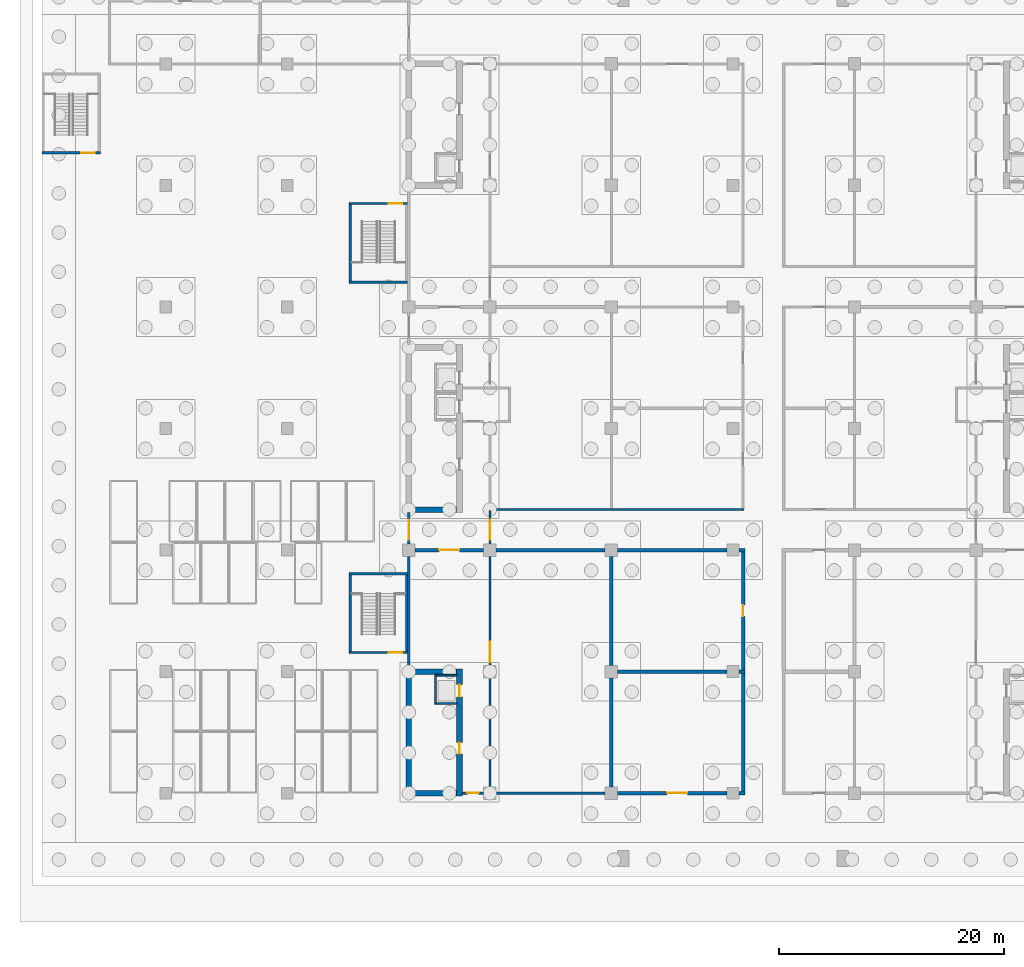
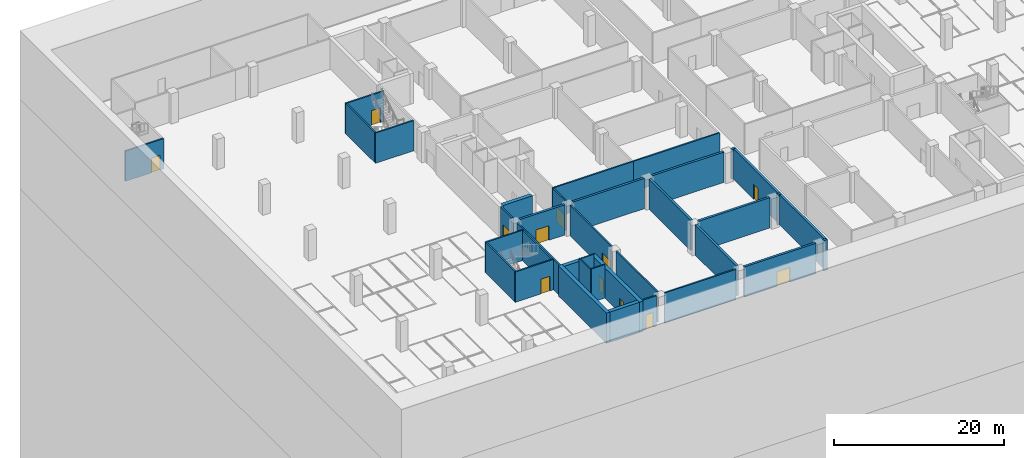
# One storey, part 5 of 18: 37 walls, 12 doors, 12 openings.
"""IFC4 building model written with IfcOpenShell, lengths in metres."""

from ifc_helpers import new_model, si_unit, direction, frame, frame_2d, origin, place, context, subcontext, project, spatial, rectangle, extrude, material, layer, layer_set, type_object, element, fill, save


model = new_model("IFC4")

# Units and contexts
model_context = context("Model", 3, precision=1e-05, world=origin(), true_north=direction((0.0, 1.0)))
body_context = subcontext(model_context, "Body", "Model", "MODEL_VIEW")
ifc_project = project(units=[si_unit("LENGTHUNIT", "METRE"), si_unit("AREAUNIT", "SQUARE_METRE"), si_unit("VOLUMEUNIT", "CUBIC_METRE"), si_unit("PLANEANGLEUNIT", "RADIAN"), si_unit("MASSUNIT", "GRAM", prefix="KILO")], contexts=[model_context])

# Site, building, storey
site_placement = place(None, origin())
site = spatial("IfcSite", under=ifc_project, at=site_placement, CompositionType="ELEMENT")
building_placement = place(site_placement, origin())
building = spatial("IfcBuilding", under=site, at=building_placement, Name="Basin Gate Institute", CompositionType="ELEMENT")
storey_placement = place(building_placement, frame((0.0, 0.0, -9.60009765625)))
storey = spatial("IfcBuildingStorey", under=building, at=storey_placement, Name="B2", CompositionType="ELEMENT", Elevation=-9.60009765625)

# Wall
ifc_material_1 = material(Name="Concrete 50 MPa", Category="concrete")
ifc_layer_1 = layer(ifc_material_1, 0.199951171875)
ifc_layer_set_1 = layer_set([ifc_layer_1], Name="Concrete 50 MPa")
wall_type_1 = type_object("IfcWallType", Name="Basement bearing wall W66 REI 180", PredefinedType="SOLIDWALL", material=ifc_layer_set_1)
wall_1_placement = place(storey_placement, frame((61.199951171875, 46.14990234375, 0.0), z_axis=(0.0, 0.0, 1.0), x_axis=(0.0, 1.0, 0.0)))
element("IfcWall", 1, at=wall_1_placement, inside=storey, type_object=wall_type_1, material=ifc_layer_set_1, Name="Service Corridor B2 West bearing wall", PredefinedType="SOLIDWALL", context=body_context, shape_type="SweptSolid", body=[
    extrude(rectangle(XDim=10.0, YDim=0.199951171875, at=frame_2d((5.0, 0.0))), origin(), (0.0, 0.0, 1.0), 4.35009765625),
])

# Wall, opening, door
wall_2_placement = place(storey_placement, frame((61.199951171875, 57.25, 0.0), z_axis=(0.0, 0.0, 1.0), x_axis=(0.0, 1.0, 0.0)))
wall_2 = element("IfcWall", 2, at=wall_2_placement, inside=storey, type_object=wall_type_1, material=ifc_layer_set_1, Name="Service Corridor B2 West bearing wall", PredefinedType="SOLIDWALL", context=body_context, shape_type="SweptSolid", body=[
    extrude(rectangle(XDim=2.800048828125, YDim=0.199951171875, at=frame_2d((1.39990234375, 0.0))), origin(), (0.0, 0.0, 1.0), 4.35009765625),
])
opening_1_placement = place(wall_2_placement, frame((0.35009765625, 0.0, 0.0)))
opening_1 = element("IfcOpeningElement", 3, at=opening_1_placement, cuts=wall_2, Name="Opening DB227", PredefinedType="OPENING", context=body_context, shape_type="SweptSolid", body=[
    extrude(rectangle(XDim=1.800048828125, YDim=2.10009765625, at=frame_2d((0.89990234375, 1.050048828125))), frame((0.0, 0.10986328125, 0.0), z_axis=(0.0, -1.0, 0.0), x_axis=(1.0, 0.0, 0.0)), (0.0, 0.0, 1.0), 0.219970703125),
])
ifc_material_2 = material(Name="Steel door set", Category="steel")
door_type_1 = type_object("IfcDoorType", Name="Double fire door FD120 1800x2100", OperationType="DOUBLE_DOOR_SINGLE_SWING", PredefinedType="DOOR", material=ifc_material_2)
door_1_placement = place(opening_1_placement, origin())
door_1 = element("IfcDoor", 4, at=door_1_placement, inside=storey, type_object=door_type_1, material=ifc_material_2, Name="Door DB227 Service Corridor B2 West", OperationType="DOUBLE_DOOR_SINGLE_SWING", OverallHeight=2.10009765625, OverallWidth=1.800048828125, PredefinedType="DOOR", context=body_context, shape_type="SweptSolid", body=[
    extrude(rectangle(XDim=1.800048828125, YDim=2.10009765625, at=frame_2d((0.89990234375, 1.050048828125))), frame((0.0, 0.02490234375, 0.0), z_axis=(0.0, -1.0, 0.0), x_axis=(1.0, 0.0, 0.0)), (0.0, 0.0, 1.0), 0.050048828125),
])
fill(opening_1, door_1)

# Wall
ifc_material_3 = material(Name="Blockwork", Category="masonry")
ifc_layer_2 = layer(ifc_material_3, 0.199951171875)
ifc_layer_set_2 = layer_set([ifc_layer_2], Name="Basement fire partition EI 120")
wall_type_2 = type_object("IfcWallType", Name="Basement fire partition EI 120", PredefinedType="PARTITIONING", material=ifc_layer_set_2)
wall_3_placement = place(storey_placement, frame((79.300048828125, 60.300048828125, 0.0), z_axis=(0.0, 0.0, 1.0), x_axis=(1.0, 0.0, 0.0)))
element("IfcWall", 5, at=wall_3_placement, inside=storey, type_object=wall_type_2, material=ifc_layer_set_2, Name="Chiller Plant fire-resisting wall", PredefinedType="PARTITIONING", context=body_context, shape_type="SweptSolid", body=[
    extrude(rectangle(XDim=11.699951171875, YDim=0.199951171875, at=frame_2d((5.85009765625, 0.0))), origin(), (0.0, 0.0, 1.0), 4.35009765625),
])

# Wall, opening, door
ifc_material_4 = material(Name="Blockwork", Category="masonry")
ifc_layer_3 = layer(ifc_material_4, 0.199951171875)
ifc_layer_set_3 = layer_set([ifc_layer_3], Name="Basement fire partition EI 60")
wall_type_3 = type_object("IfcWallType", Name="Basement fire partition EI 60", PredefinedType="PARTITIONING", material=ifc_layer_set_3)
wall_4_placement = place(storey_placement, frame((65.949951171875, 35.10009765625, 0.0), z_axis=(0.0, 0.0, 1.0), x_axis=(1.0, 0.0, 0.0)))
wall_4 = element("IfcWall", 6, at=wall_4_placement, inside=storey, type_object=wall_type_3, material=ifc_layer_set_3, Name="Service Corridor B2 West fire-resisting wall", PredefinedType="PARTITIONING", context=body_context, shape_type="SweptSolid", body=[
    extrude(rectangle(XDim=1.900146484375, YDim=0.199951171875, at=frame_2d((0.9501953125, 0.0))), origin(), (0.0, 0.0, 1.0), 4.35009765625),
])
opening_2_placement = place(wall_4_placement, frame((0.449951171875, 0.0, 0.0)))
opening_2 = element("IfcOpeningElement", 7, at=opening_2_placement, cuts=wall_4, Name="Opening DB223", PredefinedType="OPENING", context=body_context, shape_type="SweptSolid", body=[
    extrude(rectangle(XDim=1.0, YDim=2.10009765625, at=frame_2d((0.5, 1.050048828125))), frame((0.0, 0.10986328125, 0.0), z_axis=(0.0, -1.0, 0.0), x_axis=(1.0, 0.0, 0.0)), (0.0, 0.0, 1.0), 0.219970703125),
])
ifc_material_5 = material(Name="Steel door set", Category="steel")
door_type_2 = type_object("IfcDoorType", Name="Fire door FD60 1000x2100", OperationType="NOTDEFINED", PredefinedType="DOOR", material=ifc_material_5)
door_2_placement = place(opening_2_placement, frame((1.0, 0.0, 0.0), z_axis=(0.0, 0.0, 1.0), x_axis=(-1.0, 0.0, 0.0)))
door_2 = element("IfcDoor", 8, at=door_2_placement, inside=storey, type_object=door_type_2, material=ifc_material_5, Name="Door DB223 Service Corridor B2 West", OperationType="SINGLE_SWING_RIGHT", OverallHeight=2.10009765625, OverallWidth=1.0, PredefinedType="DOOR", context=body_context, shape_type="SweptSolid", body=[
    extrude(rectangle(XDim=1.0, YDim=2.10009765625, at=frame_2d((0.5, 1.050048828125))), frame((0.0, 0.02490234375, 0.0), z_axis=(0.0, -1.0, 0.0), x_axis=(1.0, 0.0, 0.0)), (0.0, 0.0, 1.0), 0.050048828125),
])
fill(opening_2, door_2)

# Walls
wall_5_placement = place(storey_placement, frame((68.949951171875, 35.10009765625, 0.0), z_axis=(0.0, 0.0, 1.0), x_axis=(1.0, 0.0, 0.0)))
element("IfcWall", 9, at=wall_5_placement, inside=storey, type_object=wall_type_3, material=ifc_layer_set_3, Name="Vibration-isolated Instrument Hall 1 fire-resisting wall", PredefinedType="PARTITIONING", context=body_context, shape_type="SweptSolid", body=[
    extrude(rectangle(XDim=9.699951171875, YDim=0.199951171875, at=frame_2d((4.85009765625, 0.0))), origin(), (0.0, 0.0, 1.0), 4.35009765625),
])
wall_6_placement = place(storey_placement, frame((68.300048828125, 60.300048828125, 0.0), z_axis=(0.0, 0.0, 1.0), x_axis=(1.0, 0.0, 0.0)))
element("IfcWall", 10, at=wall_6_placement, inside=storey, type_object=wall_type_3, material=ifc_layer_set_3, Name="Vibration-isolated Instrument Hall 2 fire-resisting wall", PredefinedType="PARTITIONING", context=body_context, shape_type="SweptSolid", body=[
    extrude(rectangle(XDim=11.0, YDim=0.199951171875, at=frame_2d((5.5, 0.0))), origin(), (0.0, 0.0, 1.0), 4.35009765625),
])
wall_7_placement = place(storey_placement, frame((68.39990234375, 35.64990234375, 0.0), z_axis=(0.0, 0.0, 1.0), x_axis=(0.0, 1.0, 0.0)))
element("IfcWall", 11, at=wall_7_placement, inside=storey, type_object=wall_type_3, material=ifc_layer_set_3, Name="Vibration-isolated Instrument Hall 1 fire-resisting wall", PredefinedType="PARTITIONING", context=body_context, shape_type="SweptSolid", body=[
    extrude(rectangle(XDim=9.7001953125, YDim=0.199951171875, at=frame_2d((4.85009765625, 0.0))), origin(), (0.0, 0.0, 1.0), 4.35009765625),
])

# Wall, opening, door
wall_8_placement = place(storey_placement, frame((68.39990234375, 46.449951171875, 0.0), z_axis=(0.0, 0.0, 1.0), x_axis=(0.0, 1.0, 0.0)))
wall_8 = element("IfcWall", 12, at=wall_8_placement, inside=storey, type_object=wall_type_3, material=ifc_layer_set_3, Name="Vibration-isolated Instrument Hall 1 fire-resisting wall", PredefinedType="PARTITIONING", context=body_context, shape_type="SweptSolid", body=[
    extrude(rectangle(XDim=9.699951171875, YDim=0.199951171875, at=frame_2d((4.85009765625, 0.0))), origin(), (0.0, 0.0, 1.0), 4.35009765625),
])
opening_3_placement = place(wall_8_placement, frame((0.300048828125, 0.0, 0.0)))
opening_3 = element("IfcOpeningElement", 13, at=opening_3_placement, cuts=wall_8, Name="Opening DB216", PredefinedType="OPENING", context=body_context, shape_type="SweptSolid", body=[
    extrude(rectangle(XDim=1.800048828125, YDim=2.10009765625, at=frame_2d((0.89990234375, 1.050048828125))), frame((0.0, 0.10986328125, 0.0), z_axis=(0.0, -1.0, 0.0), x_axis=(1.0, 0.0, 0.0)), (0.0, 0.0, 1.0), 0.219970703125),
])
ifc_material_6 = material(Name="Steel door set", Category="steel")
door_type_3 = type_object("IfcDoorType", Name="Double fire door FD60 1800x2100", OperationType="DOUBLE_DOOR_SINGLE_SWING", PredefinedType="DOOR", material=ifc_material_6)
door_3_placement = place(opening_3_placement, frame((1.800048828125, 0.0, 0.0), z_axis=(0.0, 0.0, 1.0), x_axis=(-1.0, 0.0, 0.0)))
door_3 = element("IfcDoor", 14, at=door_3_placement, inside=storey, type_object=door_type_3, material=ifc_material_6, Name="Door DB216 Vibration-isolated Instrument Hall 1", OperationType="DOUBLE_DOOR_SINGLE_SWING", OverallHeight=2.10009765625, OverallWidth=1.800048828125, PredefinedType="DOOR", context=body_context, shape_type="SweptSolid", body=[
    extrude(rectangle(XDim=1.800048828125, YDim=2.10009765625, at=frame_2d((0.89990234375, 1.050048828125))), frame((0.0, 0.02490234375, 0.0), z_axis=(0.0, -1.0, 0.0), x_axis=(1.0, 0.0, 0.0)), (0.0, 0.0, 1.0), 0.050048828125),
])
fill(opening_3, door_3)

wall_9_placement = place(storey_placement, frame((68.39990234375, 57.25, 0.0), z_axis=(0.0, 0.0, 1.0), x_axis=(0.0, 1.0, 0.0)))
wall_9 = element("IfcWall", 15, at=wall_9_placement, inside=storey, type_object=wall_type_3, material=ifc_layer_set_3, Name="Service Corridor B2 West fire-resisting wall", PredefinedType="PARTITIONING", context=body_context, shape_type="SweptSolid", body=[
    extrude(rectangle(XDim=2.949951171875, YDim=0.199951171875, at=frame_2d((1.47509765625, 0.0))), origin(), (0.0, 0.0, 1.0), 4.35009765625),
])
opening_4_placement = place(wall_9_placement, frame((0.35009765625, 0.0, 0.0)))
opening_4 = element("IfcOpeningElement", 16, at=opening_4_placement, cuts=wall_9, Name="Opening DB225", PredefinedType="OPENING", context=body_context, shape_type="SweptSolid", body=[
    extrude(rectangle(XDim=1.800048828125, YDim=2.10009765625, at=frame_2d((0.89990234375, 1.050048828125))), frame((0.0, 0.10986328125, 0.0), z_axis=(0.0, -1.0, 0.0), x_axis=(1.0, 0.0, 0.0)), (0.0, 0.0, 1.0), 0.219970703125),
])
door_4_placement = place(opening_4_placement, frame((1.800048828125, 0.0, 0.0), z_axis=(0.0, 0.0, 1.0), x_axis=(-1.0, 0.0, 0.0)))
door_4 = element("IfcDoor", 17, at=door_4_placement, inside=storey, type_object=door_type_3, material=ifc_material_6, Name="Door DB225 Service Corridor B2 West", OperationType="DOUBLE_DOOR_SINGLE_SWING", OverallHeight=2.10009765625, OverallWidth=1.800048828125, PredefinedType="DOOR", context=body_context, shape_type="SweptSolid", body=[
    extrude(rectangle(XDim=1.800048828125, YDim=2.10009765625, at=frame_2d((0.89990234375, 1.050048828125))), frame((0.0, 0.02490234375, 0.0), z_axis=(0.0, -1.0, 0.0), x_axis=(1.0, 0.0, 0.0)), (0.0, 0.0, 1.0), 0.050048828125),
])
fill(opening_4, door_4)

ifc_material_7 = material(Name="Concrete 35 MPa", Category="concrete")
ifc_layer_4 = layer(ifc_material_7, 0.199951171875)
ifc_layer_set_4 = layer_set([ifc_layer_4], Name="Concrete 35 MPa")
wall_type_4 = type_object("IfcWallType", Name="Basement stair enclosure wall W67 REI 120", PredefinedType="SOLIDWALL", material=ifc_layer_set_4)
wall_10_placement = place(storey_placement, frame((55.89990234375, 47.60009765625, 0.0), z_axis=(0.0, 0.0, 1.0), x_axis=(1.0, 0.0, 0.0)))
wall_10 = element("IfcWall", 18, at=wall_10_placement, inside=storey, type_object=wall_type_4, material=ifc_layer_set_4, Name="Stair Enclosure BS1 B2 enclosure wall", PredefinedType="SOLIDWALL", context=body_context, shape_type="SweptSolid", body=[
    extrude(rectangle(XDim=5.2001953125, YDim=0.199951171875, at=frame_2d((2.60009765625, 0.0))), origin(), (0.0, 0.0, 1.0), 4.35009765625),
])
opening_5_placement = place(wall_10_placement, frame((3.5, 0.0, 0.0)))
opening_5 = element("IfcOpeningElement", 19, at=opening_5_placement, cuts=wall_10, Name="Opening DB242", PredefinedType="OPENING", context=body_context, shape_type="SweptSolid", body=[
    extrude(rectangle(XDim=1.199951171875, YDim=2.10009765625, at=frame_2d((0.60009765625, 1.050048828125))), frame((0.0, 0.10986328125, 0.0), z_axis=(0.0, -1.0, 0.0), x_axis=(1.0, 0.0, 0.0)), (0.0, 0.0, 1.0), 0.219970703125),
])
ifc_material_8 = material(Name="Steel door set", Category="steel")
door_type_4 = type_object("IfcDoorType", Name="Stair door FD120 1200x2100", OperationType="NOTDEFINED", PredefinedType="DOOR", material=ifc_material_8)
door_5_placement = place(opening_5_placement, frame((1.199951171875, 0.0, 0.0), z_axis=(0.0, 0.0, 1.0), x_axis=(-1.0, 0.0, 0.0)))
door_5 = element("IfcDoor", 20, at=door_5_placement, inside=storey, type_object=door_type_4, material=ifc_material_8, Name="Door DB242 Stair Enclosure BS1 B2", OperationType="SINGLE_SWING_LEFT", OverallHeight=2.10009765625, OverallWidth=1.199951171875, PredefinedType="DOOR", context=body_context, shape_type="SweptSolid", body=[
    extrude(rectangle(XDim=1.199951171875, YDim=2.10009765625, at=frame_2d((0.60009765625, 1.050048828125))), frame((0.0, 0.02490234375, 0.0), z_axis=(0.0, -1.0, 0.0), x_axis=(1.0, 0.0, 0.0)), (0.0, 0.0, 1.0), 0.050048828125),
])
fill(opening_5, door_5)

# Walls
for number, where, z_axis, x_axis, name in (
    (21, (55.89990234375, 54.60009765625, 0.0), (0.0, 0.0, 1.0), (1.0, 0.0, 0.0), "Stair Enclosure BS1 B2 enclosure wall"),
    (22, (55.89990234375, 80.5, 0.0), (0.0, 0.0, 1.0), (1.0, 0.0, 0.0), "Stair Enclosure BS2 B2 enclosure wall"),
):
    element("IfcWall", number, at=place(storey_placement, frame(where, z_axis=z_axis, x_axis=x_axis)), inside=storey, type_object=wall_type_4, material=ifc_layer_set_4, Name=name, PredefinedType="SOLIDWALL", context=body_context, shape_type="SweptSolid", body=[
        extrude(rectangle(XDim=5.2001953125, YDim=0.199951171875, at=frame_2d((2.60009765625, 0.0))), origin(), (0.0, 0.0, 1.0), 4.35009765625),
    ])

# Wall, opening, door
wall_11_placement = place(storey_placement, frame((55.89990234375, 87.5, 0.0), z_axis=(0.0, 0.0, 1.0), x_axis=(1.0, 0.0, 0.0)))
wall_11 = element("IfcWall", 23, at=wall_11_placement, inside=storey, type_object=wall_type_4, material=ifc_layer_set_4, Name="Stair Enclosure BS2 B2 enclosure wall", PredefinedType="SOLIDWALL", context=body_context, shape_type="SweptSolid", body=[
    extrude(rectangle(XDim=5.2001953125, YDim=0.199951171875, at=frame_2d((2.60009765625, 0.0))), origin(), (0.0, 0.0, 1.0), 4.35009765625),
])
opening_6_placement = place(wall_11_placement, frame((3.5, 0.0, 0.0)))
opening_6 = element("IfcOpeningElement", 24, at=opening_6_placement, cuts=wall_11, Name="Opening DB243", PredefinedType="OPENING", context=body_context, shape_type="SweptSolid", body=[
    extrude(rectangle(XDim=1.199951171875, YDim=2.10009765625, at=frame_2d((0.60009765625, 1.050048828125))), frame((0.0, 0.10986328125, 0.0), z_axis=(0.0, -1.0, 0.0), x_axis=(1.0, 0.0, 0.0)), (0.0, 0.0, 1.0), 0.219970703125),
])
door_6_placement = place(opening_6_placement, origin())
door_6 = element("IfcDoor", 25, at=door_6_placement, inside=storey, type_object=door_type_4, material=ifc_material_8, Name="Door DB243 Stair Enclosure BS2 B2", OperationType="SINGLE_SWING_RIGHT", OverallHeight=2.10009765625, OverallWidth=1.199951171875, PredefinedType="DOOR", context=body_context, shape_type="SweptSolid", body=[
    extrude(rectangle(XDim=1.199951171875, YDim=2.10009765625, at=frame_2d((0.60009765625, 1.050048828125))), frame((0.0, 0.02490234375, 0.0), z_axis=(0.0, -1.0, 0.0), x_axis=(1.0, 0.0, 0.0)), (0.0, 0.0, 1.0), 0.050048828125),
])
fill(opening_6, door_6)

wall_12_placement = place(storey_placement, frame((28.60009765625, 92.0, 0.0), z_axis=(0.0, 0.0, 1.0), x_axis=(1.0, 0.0, 0.0)))
wall_12 = element("IfcWall", 26, at=wall_12_placement, inside=storey, type_object=wall_type_4, material=ifc_layer_set_4, Name="Stair Enclosure BS5 B2 enclosure wall", PredefinedType="SOLIDWALL", context=body_context, shape_type="SweptSolid", body=[
    extrude(rectangle(XDim=5.199951171875, YDim=0.199951171875, at=frame_2d((2.60009765625, 0.0))), origin(), (0.0, 0.0, 1.0), 4.35009765625),
])
opening_7_placement = place(wall_12_placement, frame((3.5, 0.0, 0.0)))
opening_7 = element("IfcOpeningElement", 27, at=opening_7_placement, cuts=wall_12, Name="Opening DB246", PredefinedType="OPENING", context=body_context, shape_type="SweptSolid", body=[
    extrude(rectangle(XDim=1.199951171875, YDim=2.10009765625, at=frame_2d((0.60009765625, 1.050048828125))), frame((0.0, 0.10986328125, 0.0), z_axis=(0.0, -1.0, 0.0), x_axis=(1.0, 0.0, 0.0)), (0.0, 0.0, 1.0), 0.219970703125),
])
door_7_placement = place(opening_7_placement, frame((1.199951171875, 0.0, 0.0), z_axis=(0.0, 0.0, 1.0), x_axis=(-1.0, 0.0, 0.0)))
door_7 = element("IfcDoor", 28, at=door_7_placement, inside=storey, type_object=door_type_4, material=ifc_material_8, Name="Door DB246 Stair Enclosure BS5 B2", OperationType="SINGLE_SWING_RIGHT", OverallHeight=2.10009765625, OverallWidth=1.199951171875, PredefinedType="DOOR", context=body_context, shape_type="SweptSolid", body=[
    extrude(rectangle(XDim=1.199951171875, YDim=2.10009765625, at=frame_2d((0.60009765625, 1.050048828125))), frame((0.0, 0.02490234375, 0.0), z_axis=(0.0, -1.0, 0.0), x_axis=(1.0, 0.0, 0.0)), (0.0, 0.0, 1.0), 0.050048828125),
])
fill(opening_7, door_7)

# Walls
wall_13_placement = place(storey_placement, frame((56.0, 47.699951171875, 0.0), z_axis=(0.0, 0.0, 1.0), x_axis=(0.0, 1.0, 0.0)))
element("IfcWall", 29, at=wall_13_placement, inside=storey, type_object=wall_type_4, material=ifc_layer_set_4, Name="Stair Enclosure BS1 B2 enclosure wall", PredefinedType="SOLIDWALL", context=body_context, shape_type="SweptSolid", body=[
    extrude(rectangle(XDim=6.800048828125, YDim=0.199951171875, at=frame_2d((3.39990234375, 0.0))), origin(), (0.0, 0.0, 1.0), 4.35009765625),
])
wall_14_placement = place(storey_placement, frame((56.0, 80.60009765625, 0.0), z_axis=(0.0, 0.0, 1.0), x_axis=(0.0, 1.0, 0.0)))
element("IfcWall", 30, at=wall_14_placement, inside=storey, type_object=wall_type_4, material=ifc_layer_set_4, Name="Stair Enclosure BS2 B2 enclosure wall", PredefinedType="SOLIDWALL", context=body_context, shape_type="SweptSolid", body=[
    extrude(rectangle(XDim=6.7998046875, YDim=0.199951171875, at=frame_2d((3.39990234375, 0.0))), origin(), (0.0, 0.0, 1.0), 4.35009765625),
])
wall_15_placement = place(storey_placement, frame((61.0, 47.699951171875, 0.0), z_axis=(0.0, 0.0, 1.0), x_axis=(0.0, 1.0, 0.0)))
element("IfcWall", 31, at=wall_15_placement, inside=storey, type_object=wall_type_4, material=ifc_layer_set_4, Name="Stair Enclosure BS1 B2 enclosure wall", PredefinedType="SOLIDWALL", context=body_context, shape_type="SweptSolid", body=[
    extrude(rectangle(XDim=6.800048828125, YDim=0.199951171875, at=frame_2d((3.39990234375, 0.0))), origin(), (0.0, 0.0, 1.0), 4.35009765625),
])

# Wall, opening, door
ifc_material_9 = material(Name="Concrete 35 MPa", Category="concrete")
ifc_layer_5 = layer(ifc_material_9, 0.300048828125)
ifc_layer_set_5 = layer_set([ifc_layer_5], Name="Concrete 35 MPa")
wall_type_5 = type_object("IfcWallType", Name="Tank wall 300", PredefinedType="SOLIDWALL", material=ifc_layer_set_5)
wall_16_placement = place(storey_placement, frame((79.75, 35.10009765625, 0.0), z_axis=(0.0, 0.0, 1.0), x_axis=(1.0, 0.0, 0.0)))
wall_16 = element("IfcWall", 32, at=wall_16_placement, inside=storey, type_object=wall_type_5, material=ifc_layer_set_5, Name="Fire Water Tank 1 fire-resisting wall", PredefinedType="SOLIDWALL", context=body_context, shape_type="SweptSolid", body=[
    extrude(rectangle(XDim=9.72509765625, YDim=0.300048828125, at=frame_2d((4.862548828125, 0.0))), origin(), (0.0, 0.0, 1.0), 4.35009765625),
])
opening_8_placement = place(wall_16_placement, frame((4.39990234375, 0.0, 0.0)))
opening_8 = element("IfcOpeningElement", 33, at=opening_8_placement, cuts=wall_16, Name="Opening DB201", PredefinedType="OPENING", context=body_context, shape_type="SweptSolid", body=[
    extrude(rectangle(XDim=1.800048828125, YDim=2.10009765625, at=frame_2d((0.89990234375, 1.050048828125))), frame((0.0, 0.16015625, 0.0), z_axis=(0.0, -1.0, 0.0), x_axis=(1.0, 0.0, 0.0)), (0.0, 0.0, 1.0), 0.320068359375),
])
door_8_placement = place(opening_8_placement, frame((1.800048828125, 0.0, 0.0), z_axis=(0.0, 0.0, 1.0), x_axis=(-1.0, 0.0, 0.0)))
door_8 = element("IfcDoor", 34, at=door_8_placement, inside=storey, type_object=door_type_1, material=ifc_material_2, Name="Door DB201 Fire Water Tank 1", OperationType="DOUBLE_DOOR_SINGLE_SWING", OverallHeight=2.10009765625, OverallWidth=1.800048828125, PredefinedType="DOOR", context=body_context, shape_type="SweptSolid", body=[
    extrude(rectangle(XDim=1.800048828125, YDim=2.10009765625, at=frame_2d((0.89990234375, 1.050048828125))), frame((0.0, 0.02490234375, 0.0), z_axis=(0.0, -1.0, 0.0), x_axis=(1.0, 0.0, 0.0)), (0.0, 0.0, 1.0), 0.050048828125),
])
fill(opening_8, door_8)

# Walls
wall_17_placement = place(storey_placement, frame((90.52490234375, 35.10009765625, 0.0), z_axis=(0.0, 0.0, 1.0), x_axis=(1.0, 0.0, 0.0)))
element("IfcWall", 35, at=wall_17_placement, inside=storey, type_object=wall_type_5, material=ifc_layer_set_5, Name="Fire Water Tank 1 fire-resisting wall", PredefinedType="SOLIDWALL", context=body_context, shape_type="SweptSolid", body=[
    extrude(rectangle(XDim=0.525146484375, YDim=0.300048828125, at=frame_2d((0.2626953125, 0.0))), origin(), (0.0, 0.0, 1.0), 4.35009765625),
])
wall_18_placement = place(storey_placement, frame((79.75, 45.89990234375, 0.0), z_axis=(0.0, 0.0, 1.0), x_axis=(1.0, 0.0, 0.0)))
element("IfcWall", 36, at=wall_18_placement, inside=storey, type_object=wall_type_5, material=ifc_layer_set_5, Name="Fire Water Tank 1 fire-resisting wall", PredefinedType="SOLIDWALL", context=body_context, shape_type="SweptSolid", body=[
    extrude(rectangle(XDim=9.72509765625, YDim=0.300048828125, at=frame_2d((4.862548828125, 0.0))), origin(), (0.0, 0.0, 1.0), 4.35009765625),
])
wall_19_placement = place(storey_placement, frame((90.52490234375, 45.89990234375, 0.0), z_axis=(0.0, 0.0, 1.0), x_axis=(1.0, 0.0, 0.0)))
element("IfcWall", 37, at=wall_19_placement, inside=storey, type_object=wall_type_5, material=ifc_layer_set_5, Name="Fire Water Tank 1 fire-resisting wall", PredefinedType="SOLIDWALL", context=body_context, shape_type="SweptSolid", body=[
    extrude(rectangle(XDim=0.525146484375, YDim=0.300048828125, at=frame_2d((0.2626953125, 0.0))), origin(), (0.0, 0.0, 1.0), 4.35009765625),
])
wall_20_placement = place(storey_placement, frame((79.75, 56.699951171875, 0.0), z_axis=(0.0, 0.0, 1.0), x_axis=(1.0, 0.0, 0.0)))
element("IfcWall", 38, at=wall_20_placement, inside=storey, type_object=wall_type_5, material=ifc_layer_set_5, Name="Fire Water Tank 2 fire-resisting wall", PredefinedType="SOLIDWALL", context=body_context, shape_type="SweptSolid", body=[
    extrude(rectangle(XDim=9.72509765625, YDim=0.300048828125, at=frame_2d((4.862548828125, 0.0))), origin(), (0.0, 0.0, 1.0), 4.35009765625),
])
wall_21_placement = place(storey_placement, frame((90.52490234375, 56.699951171875, 0.0), z_axis=(0.0, 0.0, 1.0), x_axis=(1.0, 0.0, 0.0)))
element("IfcWall", 39, at=wall_21_placement, inside=storey, type_object=wall_type_5, material=ifc_layer_set_5, Name="Fire Water Tank 2 fire-resisting wall", PredefinedType="SOLIDWALL", context=body_context, shape_type="SweptSolid", body=[
    extrude(rectangle(XDim=0.525146484375, YDim=0.300048828125, at=frame_2d((0.2626953125, 0.0))), origin(), (0.0, 0.0, 1.0), 4.35009765625),
])
wall_22_placement = place(storey_placement, frame((79.199951171875, 35.64990234375, 0.0), z_axis=(0.0, 0.0, 1.0), x_axis=(0.0, 1.0, 0.0)))
element("IfcWall", 40, at=wall_22_placement, inside=storey, type_object=wall_type_5, material=ifc_layer_set_5, Name="Fire Water Tank 1 fire-resisting wall", PredefinedType="SOLIDWALL", context=body_context, shape_type="SweptSolid", body=[
    extrude(rectangle(XDim=9.7001953125, YDim=0.300048828125, at=frame_2d((4.85009765625, 0.0))), origin(), (0.0, 0.0, 1.0), 4.35009765625),
])
wall_23_placement = place(storey_placement, frame((79.199951171875, 46.449951171875, 0.0), z_axis=(0.0, 0.0, 1.0), x_axis=(0.0, 1.0, 0.0)))
element("IfcWall", 41, at=wall_23_placement, inside=storey, type_object=wall_type_5, material=ifc_layer_set_5, Name="Fire Water Tank 2 fire-resisting wall", PredefinedType="SOLIDWALL", context=body_context, shape_type="SweptSolid", body=[
    extrude(rectangle(XDim=9.699951171875, YDim=0.300048828125, at=frame_2d((4.85009765625, 0.0))), origin(), (0.0, 0.0, 1.0), 4.35009765625),
])
wall_24_placement = place(storey_placement, frame((90.89990234375, 35.25, 0.0), z_axis=(0.0, 0.0, 1.0), x_axis=(0.0, 1.0, 0.0)))
element("IfcWall", 42, at=wall_24_placement, inside=storey, type_object=wall_type_5, material=ifc_layer_set_5, Name="Fire Water Tank 1 fire-resisting wall", PredefinedType="SOLIDWALL", context=body_context, shape_type="SweptSolid", body=[
    extrude(rectangle(XDim=10.5, YDim=0.300048828125, at=frame_2d((5.25, 0.0))), origin(), (0.0, 0.0, 1.0), 4.35009765625),
])

# Wall, opening, door
wall_25_placement = place(storey_placement, frame((90.89990234375, 46.050048828125, 0.0), z_axis=(0.0, 0.0, 1.0), x_axis=(0.0, 1.0, 0.0)))
wall_25 = element("IfcWall", 43, at=wall_25_placement, inside=storey, type_object=wall_type_5, material=ifc_layer_set_5, Name="Fire Water Tank 2 fire-resisting wall", PredefinedType="SOLIDWALL", context=body_context, shape_type="SweptSolid", body=[
    extrude(rectangle(XDim=10.5, YDim=0.300048828125, at=frame_2d((5.25, 0.0))), origin(), (0.0, 0.0, 1.0), 4.35009765625),
])
opening_9_placement = place(wall_25_placement, frame((4.75, 0.0, 0.0)))
opening_9 = element("IfcOpeningElement", 44, at=opening_9_placement, cuts=wall_25, Name="Opening DB203", PredefinedType="OPENING", context=body_context, shape_type="SweptSolid", body=[
    extrude(rectangle(XDim=1.0, YDim=2.10009765625, at=frame_2d((0.5, 1.050048828125))), frame((0.0, 0.16015625, 0.0), z_axis=(0.0, -1.0, 0.0), x_axis=(1.0, 0.0, 0.0)), (0.0, 0.0, 1.0), 0.320068359375),
])
ifc_material_10 = material(Name="Steel door set", Category="steel")
door_type_5 = type_object("IfcDoorType", Name="Fire door FD120 1000x2100", OperationType="NOTDEFINED", PredefinedType="DOOR", material=ifc_material_10)
door_9_placement = place(opening_9_placement, origin())
door_9 = element("IfcDoor", 45, at=door_9_placement, inside=storey, type_object=door_type_5, material=ifc_material_10, Name="Door DB203 Fire Water Tank 2", OperationType="SINGLE_SWING_LEFT", OverallHeight=2.10009765625, OverallWidth=1.0, PredefinedType="DOOR", context=body_context, shape_type="SweptSolid", body=[
    extrude(rectangle(XDim=1.0, YDim=2.10009765625, at=frame_2d((0.5, 1.050048828125))), frame((0.0, 0.02490234375, 0.0), z_axis=(0.0, -1.0, 0.0), x_axis=(1.0, 0.0, 0.0)), (0.0, 0.0, 1.0), 0.050048828125),
])
fill(opening_9, door_9)

# Walls
ifc_material_11 = material(Name="Concrete 40 MPa", Category="concrete")
ifc_layer_6 = layer(ifc_material_11, 0.14990234375)
ifc_layer_set_6 = layer_set([ifc_layer_6], Name="Concrete 40 MPa")
wall_type_6 = type_object("IfcWallType", Name="Wall LS1 lift shaft enclosure R180", PredefinedType="SOLIDWALL", material=ifc_layer_set_6)
wall_26_placement = place(storey_placement, frame((63.574951171875, 43.0, 0.0), z_axis=(0.0, 0.0, 1.0), x_axis=(0.0, 1.0, 0.0)))
element("IfcWall", 46, at=wall_26_placement, inside=storey, type_object=wall_type_6, material=ifc_layer_set_6, Name="Lift shaft enclosure LP1 B2 UL", PredefinedType="SOLIDWALL", context=body_context, shape_type="SweptSolid", body=[
    extrude(rectangle(XDim=2.64990234375, YDim=0.14990234375, at=frame_2d((1.324951171875, 0.0))), origin(), (0.0, 0.0, 1.0), 4.800048828125),
])
for number, where, z_axis, x_axis, name in (
    (47, (63.64990234375, 43.074951171875, 0.0), (0.0, 0.0, 1.0), (1.0, 0.0, 0.0), "Lift shaft enclosure LP1 B2 RL"),
    (48, (63.64990234375, 45.574951171875, 0.0), (0.0, 0.0, 1.0), (1.0, 0.0, 0.0), "Lift shaft enclosure LP1 B2 RH"),
):
    element("IfcWall", number, at=place(storey_placement, frame(where, z_axis=z_axis, x_axis=x_axis)), inside=storey, type_object=wall_type_6, material=ifc_layer_set_6, Name=name, PredefinedType="SOLIDWALL", context=body_context, shape_type="SweptSolid", body=[
        extrude(rectangle(XDim=1.800048828125, YDim=0.14990234375, at=frame_2d((0.89990234375, 0.0))), origin(), (0.0, 0.0, 1.0), 4.800048828125),
    ])
ifc_material_12 = material(Name="Concrete 60 MPa", Category="concrete")
ifc_layer_7 = layer(ifc_material_12, 0.5)
ifc_layer_set_7 = layer_set([ifc_layer_7], Name="Concrete 60 MPa")
wall_type_7 = type_object("IfcWallType", Name="Wall SW1 R180", PredefinedType="SHEAR", material=ifc_layer_set_7)
wall_27_placement = place(storey_placement, frame((61.199951171875, 34.85009765625, 0.0), z_axis=(0.0, 0.0, 1.0), x_axis=(0.0, 1.0, 0.0)))
element("IfcWall", 49, at=wall_27_placement, inside=storey, type_object=wall_type_7, material=ifc_layer_set_7, Name="WALL/B2/WS/L", PredefinedType="SHEAR", context=body_context, shape_type="SweptSolid", body=[
    extrude(rectangle(XDim=11.2998046875, YDim=0.5, at=frame_2d((5.64990234375, 0.0))), origin(), (0.0, 0.0, 1.0), 4.35009765625),
])

# Wall, openings, doors
wall_28_placement = place(storey_placement, frame((65.699951171875, 34.85009765625, 0.0), z_axis=(0.0, 0.0, 1.0), x_axis=(0.0, 1.0, 0.0)))
wall_28 = element("IfcWall", 50, at=wall_28_placement, inside=storey, type_object=wall_type_7, material=ifc_layer_set_7, Name="WALL/B2/WS/C", PredefinedType="SHEAR", context=body_context, shape_type="SweptSolid", body=[
    extrude(rectangle(XDim=11.2998046875, YDim=0.5, at=frame_2d((5.64990234375, 0.0))), origin(), (0.0, 0.0, 1.0), 4.35009765625),
])
opening_10_placement = place(wall_28_placement, frame((8.800048828125, 0.0, 0.0)))
opening_10 = element("IfcOpeningElement", 51, at=opening_10_placement, cuts=wall_28, Name="Opening LD001", PredefinedType="OPENING", context=body_context, shape_type="SweptSolid", body=[
    extrude(rectangle(XDim=1.10009765625, YDim=2.10009765625, at=frame_2d((0.550048828125, 1.050048828125))), frame((0.0, 0.260009765625, 0.0), z_axis=(0.0, -1.0, 0.0), x_axis=(1.0, 0.0, 0.0)), (0.0, 0.0, 1.0), 0.52001953125),
])
opening_11_placement = place(wall_28_placement, frame((3.75, 0.0, 0.0)))
opening_11 = element("IfcOpeningElement", 52, at=opening_11_placement, cuts=wall_28, Name="Opening DB234", PredefinedType="OPENING", context=body_context, shape_type="SweptSolid", body=[
    extrude(rectangle(XDim=1.0, YDim=2.10009765625, at=frame_2d((0.5, 1.050048828125))), frame((0.0, 0.260009765625, 0.0), z_axis=(0.0, -1.0, 0.0), x_axis=(1.0, 0.0, 0.0)), (0.0, 0.0, 1.0), 0.52001953125),
])
ifc_material_13 = material(Name="Stainless steel", Category="steel")
door_type_6 = type_object("IfcDoorType", Name="FD60 Lift landing door LD", OperationType="SLIDING_TO_LEFT", PredefinedType="DOOR", material=ifc_material_13)
door_10_placement = place(opening_10_placement, origin())
door_10 = element("IfcDoor", 53, at=door_10_placement, inside=storey, type_object=door_type_6, material=ifc_material_13, Name="Lift landing door LP1 B2", OperationType="SLIDING_TO_LEFT", OverallHeight=2.10009765625, OverallWidth=1.10009765625, PredefinedType="DOOR", context=body_context, shape_type="SweptSolid", body=[
    extrude(rectangle(XDim=1.10009765625, YDim=2.10009765625, at=frame_2d((0.550048828125, 1.050048828125))), frame((0.0, 0.02490234375, 0.0), z_axis=(0.0, -1.0, 0.0), x_axis=(1.0, 0.0, 0.0)), (0.0, 0.0, 1.0), 0.050048828125),
])
fill(opening_10, door_10)
door_11_placement = place(opening_11_placement, origin())
door_11 = element("IfcDoor", 54, at=door_11_placement, inside=storey, type_object=door_type_2, material=ifc_material_5, Name="Door DB234 Mechanical Riser Room B2 WS", OperationType="SINGLE_SWING_LEFT", OverallHeight=2.10009765625, OverallWidth=1.0, PredefinedType="DOOR", context=body_context, shape_type="SweptSolid", body=[
    extrude(rectangle(XDim=1.0, YDim=2.10009765625, at=frame_2d((0.5, 1.050048828125))), frame((0.0, 0.02490234375, 0.0), z_axis=(0.0, -1.0, 0.0), x_axis=(1.0, 0.0, 0.0)), (0.0, 0.0, 1.0), 0.050048828125),
])
fill(opening_11, door_11)

# Walls
for number, where, z_axis, x_axis, name in (
    (55, (61.449951171875, 35.10009765625, 0.0), (0.0, 0.0, 1.0), (1.0, 0.0, 0.0), "WALL/B2/WS/S"),
    (56, (61.449951171875, 45.89990234375, 0.0), (0.0, 0.0, 1.0), (1.0, 0.0, 0.0), "WALL/B2/WS/N"),
    (57, (61.449951171875, 60.300048828125, 0.0), (0.0, 0.0, 1.0), (1.0, 0.0, 0.0), "WALL/B2/WM/S"),
):
    element("IfcWall", number, at=place(storey_placement, frame(where, z_axis=z_axis, x_axis=x_axis)), inside=storey, type_object=wall_type_7, material=ifc_layer_set_7, Name=name, PredefinedType="SHEAR", context=body_context, shape_type="SweptSolid", body=[
        extrude(rectangle(XDim=4.0, YDim=0.5, at=frame_2d((2.0, 0.0))), origin(), (0.0, 0.0, 1.0), 4.35009765625),
    ])

# Wall, opening, door
ifc_material_14 = material(Name="Concrete 50 MPa", Category="concrete")
ifc_layer_8 = layer(ifc_material_14, 0.300048828125)
ifc_layer_set_8 = layer_set([ifc_layer_8], Name="Concrete 50 MPa")
wall_type_8 = type_object("IfcWallType", Name="Wall XW1 R180", PredefinedType="SHEAR", material=ifc_layer_set_8)
wall_29_placement = place(storey_placement, frame((61.75, 56.699951171875, 0.0), z_axis=(0.0, 0.0, 1.0), x_axis=(1.0, 0.0, 0.0)))
wall_29 = element("IfcWall", 58, at=wall_29_placement, inside=storey, type_object=wall_type_8, material=ifc_layer_set_8, Name="WALL/B2/WXC/1", PredefinedType="SHEAR", context=body_context, shape_type="SweptSolid", body=[
    extrude(rectangle(XDim=6.10009765625, YDim=0.300048828125, at=frame_2d((3.050048828125, 0.0))), origin(), (0.0, 0.0, 1.0), 4.35009765625),
])
opening_12_placement = place(wall_29_placement, frame((2.14990234375, 0.0, 0.0)))
opening_12 = element("IfcOpeningElement", 59, at=opening_12_placement, cuts=wall_29, Name="Opening DB248", PredefinedType="OPENING", context=body_context, shape_type="SweptSolid", body=[
    extrude(rectangle(XDim=1.800048828125, YDim=2.10009765625, at=frame_2d((0.89990234375, 1.050048828125))), frame((0.0, 0.16015625, 0.0), z_axis=(0.0, -1.0, 0.0), x_axis=(1.0, 0.0, 0.0)), (0.0, 0.0, 1.0), 0.320068359375),
])
door_12_placement = place(opening_12_placement, origin())
door_12 = element("IfcDoor", 60, at=door_12_placement, inside=storey, type_object=door_type_3, material=ifc_material_6, Name="Door DB248 Service Corridor B2 West compartment wall", OperationType="DOUBLE_DOOR_SINGLE_SWING", OverallHeight=2.10009765625, OverallWidth=1.800048828125, PredefinedType="DOOR", context=body_context, shape_type="SweptSolid", body=[
    extrude(rectangle(XDim=1.800048828125, YDim=2.10009765625, at=frame_2d((0.89990234375, 1.050048828125))), frame((0.0, 0.02490234375, 0.0), z_axis=(0.0, -1.0, 0.0), x_axis=(1.0, 0.0, 0.0)), (0.0, 0.0, 1.0), 0.050048828125),
])
fill(opening_12, door_12)

# Wall
wall_30_placement = place(storey_placement, frame((68.949951171875, 56.699951171875, 0.0), z_axis=(0.0, 0.0, 1.0), x_axis=(1.0, 0.0, 0.0)))
element("IfcWall", 61, at=wall_30_placement, inside=storey, type_object=wall_type_8, material=ifc_layer_set_8, Name="WALL/B2/WXC/2", PredefinedType="SHEAR", context=body_context, shape_type="SweptSolid", body=[
    extrude(rectangle(XDim=9.699951171875, YDim=0.300048828125, at=frame_2d((4.85009765625, 0.0))), origin(), (0.0, 0.0, 1.0), 4.35009765625),
])

save(model, "model.ifc")
